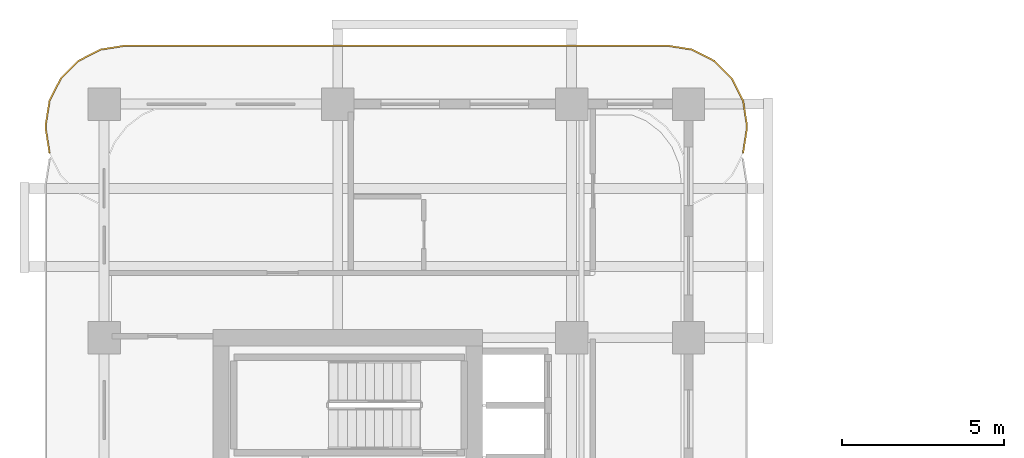
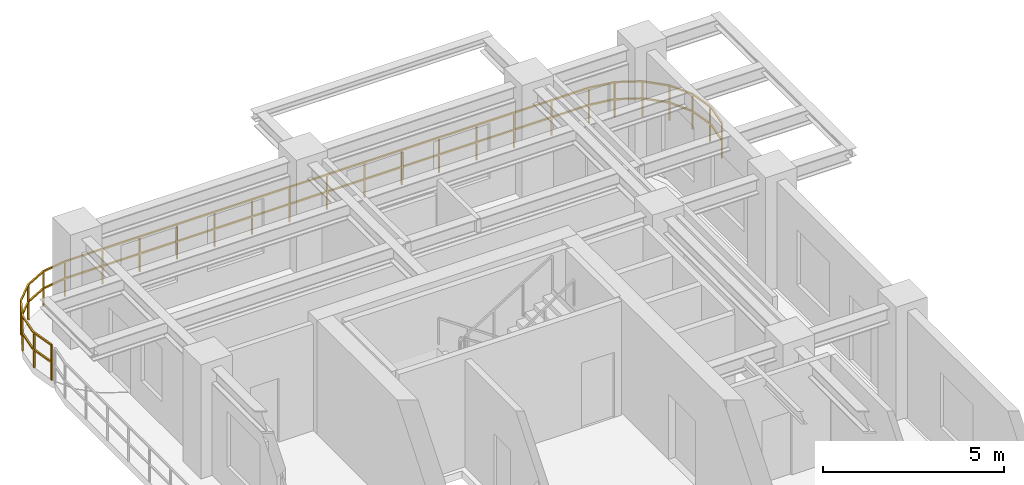
# One storey, part 14 of 14: 1 railing.
"""IFC4 building model written with IfcOpenShell, lengths in metres."""

from ifc_helpers import new_model, si_unit, derived_unit, direction, frame, origin, origin_2d, place, context, subcontext, project, spatial, rectangle, extrude, material, type_object, element, save


model = new_model("IFC4")

# Units and contexts
model_context = context("Model", 3, precision=1e-05, world=origin(), true_north=direction((0.0, 1.0)))
body_context = subcontext(model_context, "Body", "Model", "MODEL_VIEW")
ifc_project = project(units=[si_unit("LENGTHUNIT", "METRE"), si_unit("AREAUNIT", "SQUARE_METRE"), si_unit("VOLUMEUNIT", "CUBIC_METRE"), si_unit("PLANEANGLEUNIT", "RADIAN"), si_unit("MASSUNIT", "GRAM", prefix="KILO"), si_unit("THERMODYNAMICTEMPERATUREUNIT", "KELVIN"), si_unit("POWERUNIT", "WATT"), derived_unit("THERMALTRANSMITTANCEUNIT", [(si_unit("POWERUNIT", "WATT"), 1), (si_unit("AREAUNIT", "SQUARE_METRE"), -1), (si_unit("THERMODYNAMICTEMPERATUREUNIT", "KELVIN"), -1)])], contexts=[model_context])

# Site, building, storey
site_placement = place(None, origin())
site = spatial("IfcSite", under=ifc_project, at=site_placement, CompositionType="ELEMENT")
building_placement = place(site_placement, origin())
building = spatial("IfcBuilding", under=site, at=building_placement, Name="Zahravan Archway Hotel and Residences", CompositionType="ELEMENT")
storey_placement = place(building_placement, frame((0.0, 0.0, 188.800048828125)))
storey = spatial("IfcBuildingStorey", under=building, at=storey_placement, Name="L47", CompositionType="ELEMENT", Elevation=188.800048828125)

# Railing
ifc_material = material(Name="Bronze & Laminated Glass Balustrade", Category="glass")
railing_type = type_object("IfcRailingType", Name="RL-BAL-1200", PredefinedType="BALUSTRADE", material=ifc_material)
railing_placement = place(storey_placement, frame((-1.68017578125, 45.29296875, 0.0)))
element("IfcRailing", 1, at=railing_placement, inside=storey, type_object=railing_type, Name="L47 Balustrade RL-SLB-BAL-L47-NB-1", PredefinedType="BALUSTRADE", context=body_context, shape_type="SweptSolid", body=[
    extrude(rectangle(XDim=0.048095703125, YDim=0.048095703125, at=origin_2d()), frame((0.0, 0.0, 1.17578125), z_axis=(-0.156387811283, 0.987695728695, 0.0), x_axis=(-0.987695728695, -0.156387811283, 0.0)), (0.0, 0.0, 1.0), 0.7666015625),
    extrude(rectangle(XDim=0.048095703125, YDim=0.048095703125, at=origin_2d()), frame((0.0, 0.0, 0.60009765625), z_axis=(-0.156387811283, 0.987695728695, 0.0), x_axis=(-0.987695728695, -0.156387811283, 0.0)), (0.0, 0.0, 1.0), 0.7666015625),
    extrude(rectangle(XDim=0.048095703125, YDim=0.048095703125, at=origin_2d()), frame((-0.119873046875, 0.757080078125, 1.17578125), z_axis=(0.0, 1.0, 0.0), x_axis=(-1.0, 0.0, 0.0)), (0.0, 0.0, 1.0), 0.099853515625),
    extrude(rectangle(XDim=0.048095703125, YDim=0.048095703125, at=origin_2d()), frame((-0.119873046875, 0.757080078125, 0.60009765625), z_axis=(0.0, 1.0, 0.0), x_axis=(-1.0, 0.0, 0.0)), (0.0, 0.0, 1.0), 0.099853515625),
    extrude(rectangle(XDim=0.048095703125, YDim=0.048095703125, at=origin_2d()), frame((-0.119873046875, 0.85693359375, 1.17578125), z_axis=(0.156387811283, 0.987695728695, 0.0), x_axis=(-0.987695728695, 0.156387811283, 0.0)), (0.0, 0.0, 1.0), 0.7666015625),
    extrude(rectangle(XDim=0.048095703125, YDim=0.048095703125, at=origin_2d()), frame((-0.119873046875, 0.85693359375, 0.60009765625), z_axis=(0.156387811283, 0.987695728695, 0.0), x_axis=(-0.987695728695, 0.156387811283, 0.0)), (0.0, 0.0, 1.0), 0.7666015625),
    extrude(rectangle(XDim=0.048095703125, YDim=0.048095703125, at=origin_2d()), frame((0.0, 1.614013671875, 1.17578125), z_axis=(0.454078418624, 0.890961721815, 0.0), x_axis=(-0.890961721815, 0.454078418624, 0.0)), (0.0, 0.0, 1.0), 0.7666015625),
    extrude(rectangle(XDim=0.048095703125, YDim=0.048095703125, at=origin_2d()), frame((0.0, 1.614013671875, 0.60009765625), z_axis=(0.454078418624, 0.890961721815, 0.0), x_axis=(-0.890961721815, 0.454078418624, 0.0)), (0.0, 0.0, 1.0), 0.7666015625),
    extrude(rectangle(XDim=0.048095703125, YDim=0.048095703125, at=origin_2d()), frame((0.34814453125, 2.297119140625, 1.17578125), z_axis=(0.707106781187, 0.707106781187, 0.0), x_axis=(-0.707106781187, 0.707106781187, 0.0)), (0.0, 0.0, 1.0), 0.7666015625),
    extrude(rectangle(XDim=0.048095703125, YDim=0.048095703125, at=origin_2d()), frame((0.34814453125, 2.297119140625, 0.60009765625), z_axis=(0.707106781187, 0.707106781187, 0.0), x_axis=(-0.707106781187, 0.707106781187, 0.0)), (0.0, 0.0, 1.0), 0.7666015625),
    extrude(rectangle(XDim=0.048095703125, YDim=0.048095703125, at=origin_2d()), frame((0.89013671875, 2.839111328125, 1.17578125), z_axis=(0.891024909783, 0.453954414172, 0.0), x_axis=(-0.453954414172, 0.891024909783, 0.0)), (0.0, 0.0, 1.0), 0.766357421875),
    extrude(rectangle(XDim=0.048095703125, YDim=0.048095703125, at=origin_2d()), frame((0.89013671875, 2.839111328125, 0.60009765625), z_axis=(0.891024909783, 0.453954414172, 0.0), x_axis=(-0.453954414172, 0.891024909783, 0.0)), (0.0, 0.0, 1.0), 0.766357421875),
    extrude(rectangle(XDim=0.048095703125, YDim=0.048095703125, at=origin_2d()), frame((1.572998046875, 3.18701171875, 1.17578125), z_axis=(0.987646484274, 0.156698507018, 0.0), x_axis=(-0.156698507018, 0.987646484274, 0.0)), (0.0, 0.0, 1.0), 0.7666015625),
    extrude(rectangle(XDim=0.048095703125, YDim=0.048095703125, at=origin_2d()), frame((1.572998046875, 3.18701171875, 0.60009765625), z_axis=(0.987646484274, 0.156698507018, 0.0), x_axis=(-0.156698507018, 0.987646484274, 0.0)), (0.0, 0.0, 1.0), 0.7666015625),
    extrude(rectangle(XDim=0.048095703125, YDim=0.048095703125, at=origin_2d()), frame((2.330078125, 3.30712890625, 1.17578125), z_axis=(1.0, 0.0, 0.0), x_axis=(0.0, 1.0, 0.0)), (0.0, 0.0, 1.0), 16.7001953125),
    extrude(rectangle(XDim=0.048095703125, YDim=0.048095703125, at=origin_2d()), frame((2.330078125, 3.30712890625, 0.60009765625), z_axis=(1.0, 0.0, 0.0), x_axis=(0.0, 1.0, 0.0)), (0.0, 0.0, 1.0), 16.7001953125),
    extrude(rectangle(XDim=0.048095703125, YDim=0.048095703125, at=origin_2d()), frame((19.0302734375, 3.30712890625, 1.17578125), z_axis=(0.987646484274, -0.156698507018, 0.0), x_axis=(0.156698507018, 0.987646484274, 0.0)), (0.0, 0.0, 1.0), 0.7666015625),
    extrude(rectangle(XDim=0.048095703125, YDim=0.048095703125, at=origin_2d()), frame((19.0302734375, 3.30712890625, 0.60009765625), z_axis=(0.987646484274, -0.156698507018, 0.0), x_axis=(0.156698507018, 0.987646484274, 0.0)), (0.0, 0.0, 1.0), 0.7666015625),
    extrude(rectangle(XDim=0.048095703125, YDim=0.048095703125, at=origin_2d()), frame((19.787353515625, 3.18701171875, 1.17578125), z_axis=(0.891024909783, -0.453954414172, 0.0), x_axis=(0.453954414172, 0.891024909783, 0.0)), (0.0, 0.0, 1.0), 0.766357421875),
    extrude(rectangle(XDim=0.048095703125, YDim=0.048095703125, at=origin_2d()), frame((19.787353515625, 3.18701171875, 0.60009765625), z_axis=(0.891024909783, -0.453954414172, 0.0), x_axis=(0.453954414172, 0.891024909783, 0.0)), (0.0, 0.0, 1.0), 0.766357421875),
    extrude(rectangle(XDim=0.048095703125, YDim=0.048095703125, at=origin_2d()), frame((20.47021484375, 2.839111328125, 1.17578125), z_axis=(0.707106781187, -0.707106781187, 0.0), x_axis=(0.707106781187, 0.707106781187, 0.0)), (0.0, 0.0, 1.0), 0.7666015625),
    extrude(rectangle(XDim=0.048095703125, YDim=0.048095703125, at=origin_2d()), frame((20.47021484375, 2.839111328125, 0.60009765625), z_axis=(0.707106781187, -0.707106781187, 0.0), x_axis=(0.707106781187, 0.707106781187, 0.0)), (0.0, 0.0, 1.0), 0.7666015625),
    extrude(rectangle(XDim=0.048095703125, YDim=0.048095703125, at=origin_2d()), frame((21.01220703125, 2.297119140625, 1.17578125), z_axis=(0.454078418624, -0.890961721815, 0.0), x_axis=(0.890961721815, 0.454078418624, 0.0)), (0.0, 0.0, 1.0), 0.7666015625),
    extrude(rectangle(XDim=0.048095703125, YDim=0.048095703125, at=origin_2d()), frame((21.01220703125, 2.297119140625, 0.60009765625), z_axis=(0.454078418624, -0.890961721815, 0.0), x_axis=(0.890961721815, 0.454078418624, 0.0)), (0.0, 0.0, 1.0), 0.7666015625),
    extrude(rectangle(XDim=0.048095703125, YDim=0.048095703125, at=origin_2d()), frame((21.3603515625, 1.614013671875, 1.17578125), z_axis=(0.156387811283, -0.987695728695, 0.0), x_axis=(0.987695728695, 0.156387811283, 0.0)), (0.0, 0.0, 1.0), 0.7666015625),
    extrude(rectangle(XDim=0.048095703125, YDim=0.048095703125, at=origin_2d()), frame((21.3603515625, 1.614013671875, 0.60009765625), z_axis=(0.156387811283, -0.987695728695, 0.0), x_axis=(0.987695728695, 0.156387811283, 0.0)), (0.0, 0.0, 1.0), 0.7666015625),
    extrude(rectangle(XDim=0.048095703125, YDim=0.048095703125, at=origin_2d()), frame((21.480224609375, 0.85693359375, 1.17578125), z_axis=(0.0, -1.0, 0.0), x_axis=(1.0, 0.0, 0.0)), (0.0, 0.0, 1.0), 0.099853515625),
    extrude(rectangle(XDim=0.048095703125, YDim=0.048095703125, at=origin_2d()), frame((21.480224609375, 0.85693359375, 0.60009765625), z_axis=(0.0, -1.0, 0.0), x_axis=(1.0, 0.0, 0.0)), (0.0, 0.0, 1.0), 0.099853515625),
    extrude(rectangle(XDim=0.048095703125, YDim=0.048095703125, at=origin_2d()), frame((21.480224609375, 0.757080078125, 1.17578125), z_axis=(-0.156387811283, -0.987695728695, 0.0), x_axis=(0.987695728695, -0.156387811283, 0.0)), (0.0, 0.0, 1.0), 0.7666015625),
    extrude(rectangle(XDim=0.048095703125, YDim=0.048095703125, at=origin_2d()), frame((21.480224609375, 0.757080078125, 0.60009765625), z_axis=(-0.156387811283, -0.987695728695, 0.0), x_axis=(0.987695728695, -0.156387811283, 0.0)), (0.0, 0.0, 1.0), 0.7666015625),
    extrude(rectangle(XDim=0.0419921875, YDim=0.0419921875, at=origin_2d()), origin(), (0.0, 0.0, 1.0), 1.15185546875),
    extrude(rectangle(XDim=0.0419921875, YDim=0.0419921875, at=origin_2d()), frame((-0.119873046875, 0.757080078125, 0.0)), (0.0, 0.0, 1.0), 1.15185546875),
    extrude(rectangle(XDim=0.0419921875, YDim=0.0419921875, at=origin_2d()), frame((0.0, 1.614013671875, 0.0)), (0.0, 0.0, 1.0), 1.15185546875),
    extrude(rectangle(XDim=0.0419921875, YDim=0.0419921875, at=origin_2d()), frame((0.34814453125, 2.297119140625, 0.0)), (0.0, 0.0, 1.0), 1.15185546875),
    extrude(rectangle(XDim=0.0419921875, YDim=0.0419921875, at=origin_2d()), frame((0.89013671875, 2.839111328125, 0.0)), (0.0, 0.0, 1.0), 1.15185546875),
    extrude(rectangle(XDim=0.0419921875, YDim=0.0419921875, at=origin_2d()), frame((1.572998046875, 3.18701171875, 0.0)), (0.0, 0.0, 1.0), 1.15185546875),
    extrude(rectangle(XDim=0.0419921875, YDim=0.0419921875, at=origin_2d()), frame((2.330078125, 3.30712890625, 0.0)), (0.0, 0.0, 1.0), 1.15185546875),
    extrude(rectangle(XDim=0.0419921875, YDim=0.0419921875, at=origin_2d()), frame((3.52294921875, 3.30712890625, 0.0)), (0.0, 0.0, 1.0), 1.15185546875),
    extrude(rectangle(XDim=0.0419921875, YDim=0.0419921875, at=origin_2d()), frame((4.7158203125, 3.30712890625, 0.0)), (0.0, 0.0, 1.0), 1.15185546875),
    extrude(rectangle(XDim=0.0419921875, YDim=0.0419921875, at=origin_2d()), frame((5.90869140625, 3.30712890625, 0.0)), (0.0, 0.0, 1.0), 1.15185546875),
    extrude(rectangle(XDim=0.0419921875, YDim=0.0419921875, at=origin_2d()), frame((7.1015625, 3.30712890625, 0.0)), (0.0, 0.0, 1.0), 1.15185546875),
    extrude(rectangle(XDim=0.0419921875, YDim=0.0419921875, at=origin_2d()), frame((8.29443359375, 3.30712890625, 0.0)), (0.0, 0.0, 1.0), 1.15185546875),
    extrude(rectangle(XDim=0.0419921875, YDim=0.0419921875, at=origin_2d()), frame((9.4873046875, 3.30712890625, 0.0)), (0.0, 0.0, 1.0), 1.15185546875),
    extrude(rectangle(XDim=0.0419921875, YDim=0.0419921875, at=origin_2d()), frame((10.68017578125, 3.30712890625, 0.0)), (0.0, 0.0, 1.0), 1.15185546875),
    extrude(rectangle(XDim=0.0419921875, YDim=0.0419921875, at=origin_2d()), frame((11.873046875, 3.30712890625, 0.0)), (0.0, 0.0, 1.0), 1.15185546875),
    extrude(rectangle(XDim=0.0419921875, YDim=0.0419921875, at=origin_2d()), frame((13.06591796875, 3.30712890625, 0.0)), (0.0, 0.0, 1.0), 1.15185546875),
    extrude(rectangle(XDim=0.0419921875, YDim=0.0419921875, at=origin_2d()), frame((14.2587890625, 3.30712890625, 0.0)), (0.0, 0.0, 1.0), 1.15185546875),
    extrude(rectangle(XDim=0.0419921875, YDim=0.0419921875, at=origin_2d()), frame((15.45166015625, 3.30712890625, 0.0)), (0.0, 0.0, 1.0), 1.15185546875),
    extrude(rectangle(XDim=0.0419921875, YDim=0.0419921875, at=origin_2d()), frame((16.64453125, 3.30712890625, 0.0)), (0.0, 0.0, 1.0), 1.15185546875),
    extrude(rectangle(XDim=0.0419921875, YDim=0.0419921875, at=origin_2d()), frame((17.83740234375, 3.30712890625, 0.0)), (0.0, 0.0, 1.0), 1.15185546875),
    extrude(rectangle(XDim=0.0419921875, YDim=0.0419921875, at=origin_2d()), frame((19.0302734375, 3.30712890625, 0.0)), (0.0, 0.0, 1.0), 1.15185546875),
    extrude(rectangle(XDim=0.0419921875, YDim=0.0419921875, at=origin_2d()), frame((19.787353515625, 3.18701171875, 0.0)), (0.0, 0.0, 1.0), 1.15185546875),
    extrude(rectangle(XDim=0.0419921875, YDim=0.0419921875, at=origin_2d()), frame((20.47021484375, 2.839111328125, 0.0)), (0.0, 0.0, 1.0), 1.15185546875),
    extrude(rectangle(XDim=0.0419921875, YDim=0.0419921875, at=origin_2d()), frame((21.01220703125, 2.297119140625, 0.0)), (0.0, 0.0, 1.0), 1.15185546875),
    extrude(rectangle(XDim=0.0419921875, YDim=0.0419921875, at=origin_2d()), frame((21.3603515625, 1.614013671875, 0.0)), (0.0, 0.0, 1.0), 1.15185546875),
    extrude(rectangle(XDim=0.0419921875, YDim=0.0419921875, at=origin_2d()), frame((21.480224609375, 0.85693359375, 0.0)), (0.0, 0.0, 1.0), 1.15185546875),
    extrude(rectangle(XDim=0.0419921875, YDim=0.0419921875, at=origin_2d()), frame((21.3603515625, 0.0, 0.0)), (0.0, 0.0, 1.0), 1.15185546875),
])

save(model, "model.ifc")
